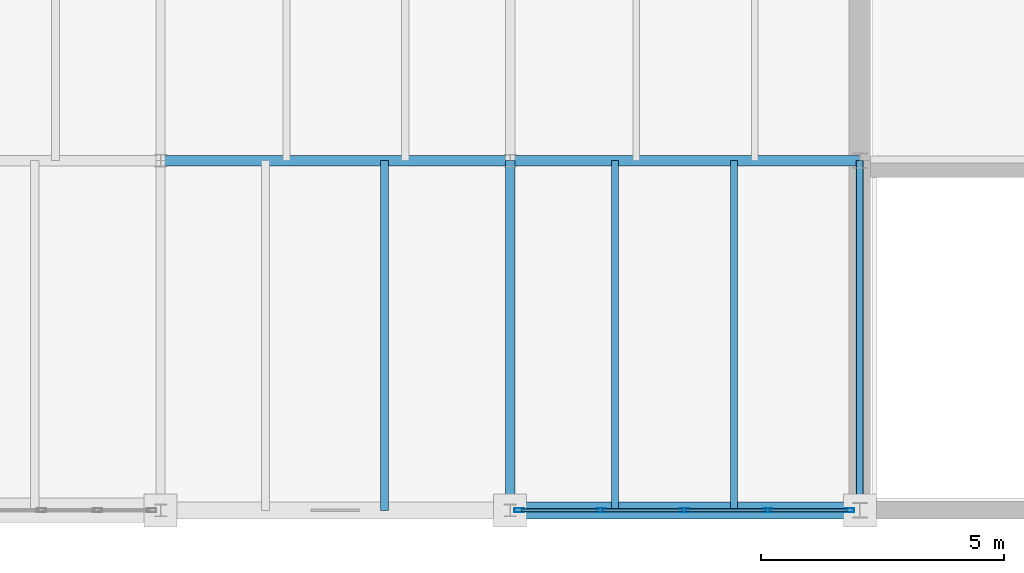
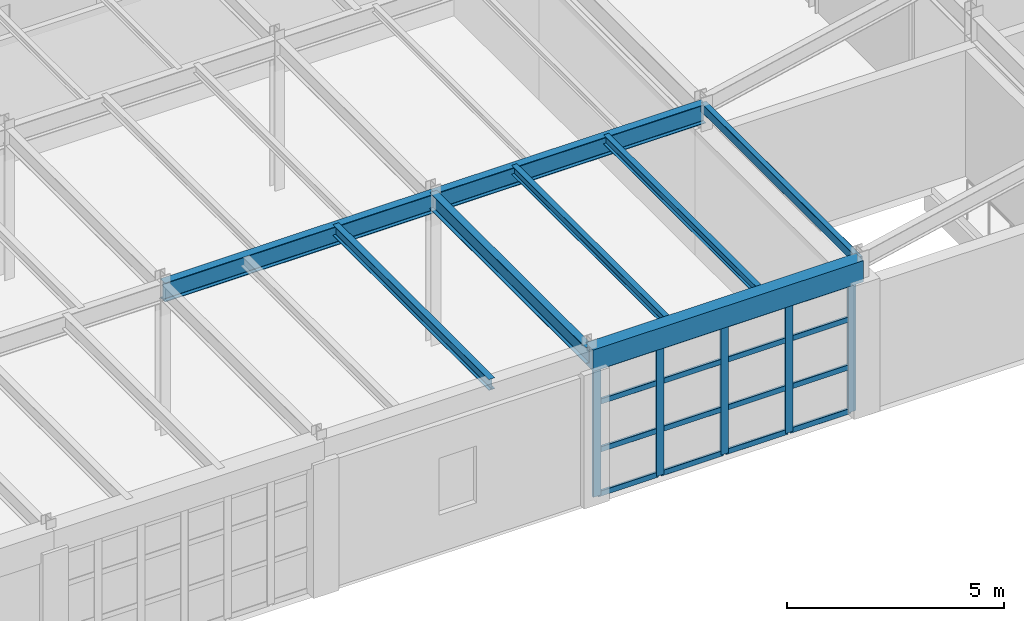
# One storey, part 70 of 137: 21 members, 8 beams, 1 element without a shape of its own.
"""IFC4 building model written with IfcOpenShell, lengths in metres."""

from ifc_helpers import new_model, si_unit, direction, frame, origin, origin_2d, place, context, subcontext, project, spatial, rectangle, hollow_rectangle, i_section, extrude, material, layer, layer_set, material_profile, profile_set, type_object, element, aggregate, save


model = new_model("IFC4")

# Units and contexts
model_context = context("Model", 3, precision=1e-05, world=origin(), true_north=direction((0.0, 1.0)))
body_context = subcontext(model_context, "Body", "Model", "MODEL_VIEW")
ifc_project = project(units=[si_unit("LENGTHUNIT", "METRE"), si_unit("AREAUNIT", "SQUARE_METRE"), si_unit("VOLUMEUNIT", "CUBIC_METRE"), si_unit("PLANEANGLEUNIT", "RADIAN"), si_unit("MASSUNIT", "GRAM", prefix="KILO")], contexts=[model_context])

# Site, building, storey
site_placement = place(None, origin())
site = spatial("IfcSite", under=ifc_project, at=site_placement, CompositionType="ELEMENT")
building_placement = place(site_placement, origin())
building = spatial("IfcBuilding", under=site, at=building_placement, Name="Kemerveld Promenade Tramway Depot", CompositionType="ELEMENT")
storey_placement = place(building_placement, frame((0.0, 0.0, 5.39990234375)))
storey = spatial("IfcBuildingStorey", under=building, at=storey_placement, Name="L01", CompositionType="ELEMENT", Elevation=5.39990234375)

# Beams
ifc_material_1 = material(Name="Steel S355", Category="steel")
ifc_material_profile_1 = material_profile(ifc_material_1, i_section(OverallWidth=0.2099609375, OverallDepth=0.53662109375, WebThickness=0.0107421875, FlangeThickness=0.017333984375, FilletRadius=0.0126953125, at=origin_2d()), Name="533x210x101 UB")
ifc_profile_set_1 = profile_set([ifc_material_profile_1], Name="Steel S355")
beam_type_1 = type_object("IfcBeamType", Name="BM-G05", PredefinedType="BEAM", material=ifc_profile_set_1)
for number, where, z_axis, x_axis, name in (
    (1, (144.0, 7.199951171875, 3.99169921875), (1.0, 0.0, 0.0), (0.0, 1.0, 0.0), "BMX-L01-21-22-B"),
    (2, (151.199951171875, 7.199951171875, 3.99169921875), (1.0, 0.0, 0.0), (0.0, 1.0, 0.0), "BMX-L01-22-23-B"),
):
    element("IfcBeam", number, at=place(storey_placement, frame(where, z_axis=z_axis, x_axis=x_axis)), inside=storey, type_object=beam_type_1, Name=name, PredefinedType="BEAM", context=body_context, shape_type="SweptSolid", body=[
        extrude(i_section(OverallWidth=0.2099609375, OverallDepth=0.53662109375, WebThickness=0.0107421875, FlangeThickness=0.017333984375, FilletRadius=0.0126953125, at=origin_2d()), origin(), (0.0, 0.0, 1.0), 7.199951171875),
    ])
ifc_material_profile_2 = material_profile(ifc_material_1, i_section(OverallWidth=0.19140625, OverallDepth=0.4599609375, WebThickness=0.010009765625, FlangeThickness=0.01611328125, FilletRadius=0.01025390625, at=origin_2d()), Name="457x191x82 UB")
ifc_profile_set_2 = profile_set([ifc_material_profile_2], Name="Steel S355")
beam_type_2 = type_object("IfcBeamType", Name="BM-G06", PredefinedType="BEAM", material=ifc_profile_set_2)
beam_1_placement = place(storey_placement, frame((151.199951171875, 0.0, 4.030029296875), z_axis=(0.0, 1.0, 0.0), x_axis=(-1.0, 0.0, 0.0)))
element("IfcBeam", 3, at=beam_1_placement, inside=storey, type_object=beam_type_2, Name="BMY-L01-22-A-B", PredefinedType="BEAM", context=body_context, shape_type="SweptSolid", body=[
    extrude(i_section(OverallWidth=0.19140625, OverallDepth=0.4599609375, WebThickness=0.010009765625, FlangeThickness=0.01611328125, FilletRadius=0.01025390625, at=origin_2d()), origin(), (0.0, 0.0, 1.0), 7.199951171875),
])
ifc_material_profile_3 = material_profile(ifc_material_1, i_section(OverallWidth=0.165771484375, OverallDepth=0.306640625, WebThickness=0.006591796875, FlangeThickness=0.01171875, FilletRadius=0.0087890625, at=origin_2d()), Name="305x165x46 UB")
ifc_profile_set_3 = profile_set([ifc_material_profile_3], Name="Steel S355")
beam_type_3 = type_object("IfcBeamType", Name="BM-J01", PredefinedType="JOIST", material=ifc_profile_set_3)
beam_2_placement = place(storey_placement, frame((148.60791015625, 0.0, 4.106689453125), z_axis=(0.0, 1.0, 0.0), x_axis=(-1.0, 0.0, 0.0)))
element("IfcBeam", 4, at=beam_2_placement, inside=storey, type_object=beam_type_3, Name="JST-L01-21-A-2", PredefinedType="JOIST", context=body_context, shape_type="SweptSolid", body=[
    extrude(i_section(OverallWidth=0.165771484375, OverallDepth=0.306640625, WebThickness=0.006591796875, FlangeThickness=0.01171875, FilletRadius=0.0087890625, at=origin_2d()), origin(), (0.0, 0.0, 1.0), 7.199951171875),
])
ifc_material_profile_4 = material_profile(ifc_material_1, i_section(OverallWidth=0.146484375, OverallDepth=0.256103515625, WebThickness=0.00634765625, FlangeThickness=0.010986328125, FilletRadius=0.007568359375, at=origin_2d()), Name="254x146x37 UB")
ifc_profile_set_4 = profile_set([ifc_material_profile_4], Name="Steel S355")
beam_type_4 = type_object("IfcBeamType", Name="BM-J02", PredefinedType="JOIST", material=ifc_profile_set_4)
for number, where, z_axis, x_axis, name in (
    (5, (153.360107421875, 0.0, 4.132080078125), (0.0, 1.0, 0.0), (-1.0, 0.0, 0.0), "JST-L01-22-A-1"),
    (6, (155.80810546875, 0.0, 4.132080078125), (0.0, 1.0, 0.0), (-1.0, 0.0, 0.0), "JST-L01-22-A-2"),
):
    element("IfcBeam", number, at=place(storey_placement, frame(where, z_axis=z_axis, x_axis=x_axis)), inside=storey, type_object=beam_type_4, Name=name, PredefinedType="JOIST", context=body_context, shape_type="SweptSolid", body=[
        extrude(i_section(OverallWidth=0.146484375, OverallDepth=0.256103515625, WebThickness=0.00634765625, FlangeThickness=0.010986328125, FilletRadius=0.007568359375, at=origin_2d()), origin(), (0.0, 0.0, 1.0), 7.199951171875),
    ])
ifc_material_2 = material(Name="Concrete C40/50", Category="concrete")
ifc_material_profile_5 = material_profile(ifc_material_2, rectangle(XDim=0.35009765625, YDim=0.60009765625, at=origin_2d()), Name="RC-BM-350x600")
ifc_profile_set_5 = profile_set([ifc_material_profile_5], Name="Concrete C40/50")
beam_type_5 = type_object("IfcBeamType", Name="BM-RC4", PredefinedType="BEAM", material=ifc_profile_set_5)
beam_3_placement = place(storey_placement, frame((151.199951171875, 0.0, 3.960205078125), z_axis=(1.0, 0.0, 0.0), x_axis=(0.0, 1.0, 0.0)))
element("IfcBeam", 7, at=beam_3_placement, inside=storey, type_object=beam_type_5, Name="BMX-L01-22-23-A", PredefinedType="BEAM", context=body_context, shape_type="SweptSolid", body=[
    extrude(rectangle(XDim=0.35009765625, YDim=0.60009765625, at=origin_2d()), origin(), (0.0, 0.0, 1.0), 7.199951171875),
])
ifc_material_profile_6 = material_profile(ifc_material_1, hollow_rectangle(XDim=0.14990234375, YDim=0.25, WallThickness=0.010009765625, InnerFilletRadius=0.0048828125, OuterFilletRadius=0.014892578125, at=origin_2d()), Name="250x150x10.0 RHS")
ifc_profile_set_6 = profile_set([ifc_material_profile_6], Name="Steel S355")
beam_type_6 = type_object("IfcBeamType", Name="BM-SP2", PredefinedType="SPANDREL", material=ifc_profile_set_6)
beam_4_placement = place(storey_placement, frame((158.39990234375, 0.0, 4.135009765625), z_axis=(0.0, 1.0, 0.0), x_axis=(-1.0, 0.0, 0.0)))
element("IfcBeam", 8, at=beam_4_placement, inside=storey, type_object=beam_type_6, Name="BMY-L01-23-A-B", PredefinedType="SPANDREL", context=body_context, shape_type="SweptSolid", body=[
    extrude(hollow_rectangle(XDim=0.14990234375, YDim=0.25, WallThickness=0.010009765625, InnerFilletRadius=0.0048828125, OuterFilletRadius=0.014892578125, at=origin_2d()), origin(), (0.0, 0.0, 1.0), 7.199951171875),
])

# Curtain wall, members
ifc_material_3 = material(Name="Bronze anodised aluminium and solar glass", Category="aluminium")
ifc_layer = layer(ifc_material_3, 0.199951171875)
ifc_layer_set = layer_set([ifc_layer], Name="CW-SYS-04")
curtain_wall_type = type_object("IfcCurtainWallType", Name="CW-SYS-04", PredefinedType="USERDEFINED", material=ifc_layer_set)
curtain_wall_placement = place(storey_placement, origin())
curtain_wall = element("IfcCurtainWall", 9, at=curtain_wall_placement, inside=storey, type_object=curtain_wall_type, Name="CW-L01-V4S-01", ObjectType="GLAZED_CURTAIN_WALL", PredefinedType="USERDEFINED")
ifc_material_4 = material(Name="Bronze anodised aluminium", Category="aluminium")
ifc_material_profile_7 = material_profile(ifc_material_4, hollow_rectangle(XDim=0.074951171875, YDim=0.199951171875, WallThickness=0.0048828125, InnerFilletRadius=0.001953125, OuterFilletRadius=0.0048828125, at=origin_2d()), Name="CW-MUL-200x75")
ifc_profile_set_7 = profile_set([ifc_material_profile_7], Name="Bronze anodised aluminium")
member_type_1 = type_object("IfcMemberType", Name="CW-MUL-B", PredefinedType="MULLION", material=ifc_profile_set_7)
member_1_placement = place(storey_placement, frame((158.185302734375, 0.0, 0.0), z_axis=(0.0, 0.0, 1.0), x_axis=(0.0, -1.0, 0.0)))
member_1 = element("IfcMember", 10, at=member_1_placement, type_object=member_type_1, Name="CW04 mullion 1", PredefinedType="MULLION", context=body_context, shape_type="SweptSolid", body=[
    extrude(hollow_rectangle(XDim=0.074951171875, YDim=0.199951171875, WallThickness=0.0048828125, InnerFilletRadius=0.001953125, OuterFilletRadius=0.0048828125, at=origin_2d()), origin(), (0.0, 0.0, 1.0), 3.64013671875),
])
member_2_placement = place(storey_placement, frame((156.504638671875, 0.0, 0.0), z_axis=(0.0, 0.0, 1.0), x_axis=(0.0, -1.0, 0.0)))
member_2 = element("IfcMember", 11, at=member_2_placement, type_object=member_type_1, Name="CW04 mullion 2", PredefinedType="MULLION", context=body_context, shape_type="SweptSolid", body=[
    extrude(hollow_rectangle(XDim=0.074951171875, YDim=0.199951171875, WallThickness=0.0048828125, InnerFilletRadius=0.001953125, OuterFilletRadius=0.0048828125, at=origin_2d()), origin(), (0.0, 0.0, 1.0), 3.64013671875),
])
member_3_placement = place(storey_placement, frame((154.786376953125, 0.0, 0.0), z_axis=(0.0, 0.0, 1.0), x_axis=(0.0, -1.0, 0.0)))
member_3 = element("IfcMember", 12, at=member_3_placement, type_object=member_type_1, Name="CW04 mullion 3", PredefinedType="MULLION", context=body_context, shape_type="SweptSolid", body=[
    extrude(hollow_rectangle(XDim=0.074951171875, YDim=0.199951171875, WallThickness=0.0048828125, InnerFilletRadius=0.001953125, OuterFilletRadius=0.0048828125, at=origin_2d()), origin(), (0.0, 0.0, 1.0), 3.64013671875),
])
member_4_placement = place(storey_placement, frame((153.068359375, 0.0, 0.0), z_axis=(0.0, 0.0, 1.0), x_axis=(0.0, -1.0, 0.0)))
member_4 = element("IfcMember", 13, at=member_4_placement, type_object=member_type_1, Name="CW04 mullion 4", PredefinedType="MULLION", context=body_context, shape_type="SweptSolid", body=[
    extrude(hollow_rectangle(XDim=0.074951171875, YDim=0.199951171875, WallThickness=0.0048828125, InnerFilletRadius=0.001953125, OuterFilletRadius=0.0048828125, at=origin_2d()), origin(), (0.0, 0.0, 1.0), 3.64013671875),
])
member_5_placement = place(storey_placement, frame((151.3876953125, 0.0, 0.0), z_axis=(0.0, 0.0, 1.0), x_axis=(0.0, -1.0, 0.0)))
member_5 = element("IfcMember", 14, at=member_5_placement, type_object=member_type_1, Name="CW04 mullion 5", PredefinedType="MULLION", context=body_context, shape_type="SweptSolid", body=[
    extrude(hollow_rectangle(XDim=0.074951171875, YDim=0.199951171875, WallThickness=0.0048828125, InnerFilletRadius=0.001953125, OuterFilletRadius=0.0048828125, at=origin_2d()), origin(), (0.0, 0.0, 1.0), 3.64013671875),
])
ifc_material_profile_8 = material_profile(ifc_material_4, hollow_rectangle(XDim=0.06494140625, YDim=0.14990234375, WallThickness=0.00439453125, InnerFilletRadius=0.001953125, OuterFilletRadius=0.00439453125, at=origin_2d()), Name="CW-TRN-150x65")
ifc_profile_set_8 = profile_set([ifc_material_profile_8], Name="Bronze anodised aluminium")
member_type_2 = type_object("IfcMemberType", Name="CW-TRN-B", PredefinedType="USERDEFINED", material=ifc_profile_set_8)
member_6_placement = place(storey_placement, frame((158.147705078125, 0.0, 0.03271484375), z_axis=(-1.0, 0.0, 0.0), x_axis=(0.0, -1.0, 0.0)))
member_6 = element("IfcMember", 15, at=member_6_placement, type_object=member_type_2, Name="CW04 transom 1.1", ObjectType="TRANSOM", PredefinedType="USERDEFINED", context=body_context, shape_type="SweptSolid", body=[
    extrude(hollow_rectangle(XDim=0.06494140625, YDim=0.14990234375, WallThickness=0.00439453125, InnerFilletRadius=0.001953125, OuterFilletRadius=0.00439453125, at=origin_2d()), origin(), (0.0, 0.0, 1.0), 1.60546875),
])
member_7_placement = place(storey_placement, frame((158.147705078125, 0.0, 1.274169921875), z_axis=(-1.0, 0.0, 0.0), x_axis=(0.0, -1.0, 0.0)))
member_7 = element("IfcMember", 16, at=member_7_placement, type_object=member_type_2, Name="CW04 transom 1.2", ObjectType="TRANSOM", PredefinedType="USERDEFINED", context=body_context, shape_type="SweptSolid", body=[
    extrude(hollow_rectangle(XDim=0.06494140625, YDim=0.14990234375, WallThickness=0.00439453125, InnerFilletRadius=0.001953125, OuterFilletRadius=0.00439453125, at=origin_2d()), origin(), (0.0, 0.0, 1.0), 1.60546875),
])
member_8_placement = place(storey_placement, frame((158.147705078125, 0.0, 2.62109375), z_axis=(-1.0, 0.0, 0.0), x_axis=(0.0, -1.0, 0.0)))
member_8 = element("IfcMember", 17, at=member_8_placement, type_object=member_type_2, Name="CW04 transom 1.3", ObjectType="TRANSOM", PredefinedType="USERDEFINED", context=body_context, shape_type="SweptSolid", body=[
    extrude(hollow_rectangle(XDim=0.06494140625, YDim=0.14990234375, WallThickness=0.00439453125, InnerFilletRadius=0.001953125, OuterFilletRadius=0.00439453125, at=origin_2d()), origin(), (0.0, 0.0, 1.0), 1.60546875),
])
member_9_placement = place(storey_placement, frame((158.147705078125, 0.0, 3.607666015625), z_axis=(-1.0, 0.0, 0.0), x_axis=(0.0, -1.0, 0.0)))
member_9 = element("IfcMember", 18, at=member_9_placement, type_object=member_type_2, Name="CW04 transom 1.4", ObjectType="TRANSOM", PredefinedType="USERDEFINED", context=body_context, shape_type="SweptSolid", body=[
    extrude(hollow_rectangle(XDim=0.06494140625, YDim=0.14990234375, WallThickness=0.00439453125, InnerFilletRadius=0.001953125, OuterFilletRadius=0.00439453125, at=origin_2d()), origin(), (0.0, 0.0, 1.0), 1.60546875),
])
member_10_placement = place(storey_placement, frame((156.467041015625, 0.0, 0.03271484375), z_axis=(-1.0, 0.0, 0.0), x_axis=(0.0, -1.0, 0.0)))
member_10 = element("IfcMember", 19, at=member_10_placement, type_object=member_type_2, Name="CW04 transom 2.1", ObjectType="TRANSOM", PredefinedType="USERDEFINED", context=body_context, shape_type="SweptSolid", body=[
    extrude(hollow_rectangle(XDim=0.06494140625, YDim=0.14990234375, WallThickness=0.00439453125, InnerFilletRadius=0.001953125, OuterFilletRadius=0.00439453125, at=origin_2d()), origin(), (0.0, 0.0, 1.0), 1.64306640625),
])
member_11_placement = place(storey_placement, frame((156.467041015625, 0.0, 1.274169921875), z_axis=(-1.0, 0.0, 0.0), x_axis=(0.0, -1.0, 0.0)))
member_11 = element("IfcMember", 20, at=member_11_placement, type_object=member_type_2, Name="CW04 transom 2.2", ObjectType="TRANSOM", PredefinedType="USERDEFINED", context=body_context, shape_type="SweptSolid", body=[
    extrude(hollow_rectangle(XDim=0.06494140625, YDim=0.14990234375, WallThickness=0.00439453125, InnerFilletRadius=0.001953125, OuterFilletRadius=0.00439453125, at=origin_2d()), origin(), (0.0, 0.0, 1.0), 1.64306640625),
])
member_12_placement = place(storey_placement, frame((156.467041015625, 0.0, 2.62109375), z_axis=(-1.0, 0.0, 0.0), x_axis=(0.0, -1.0, 0.0)))
member_12 = element("IfcMember", 21, at=member_12_placement, type_object=member_type_2, Name="CW04 transom 2.3", ObjectType="TRANSOM", PredefinedType="USERDEFINED", context=body_context, shape_type="SweptSolid", body=[
    extrude(hollow_rectangle(XDim=0.06494140625, YDim=0.14990234375, WallThickness=0.00439453125, InnerFilletRadius=0.001953125, OuterFilletRadius=0.00439453125, at=origin_2d()), origin(), (0.0, 0.0, 1.0), 1.64306640625),
])
member_13_placement = place(storey_placement, frame((156.467041015625, 0.0, 3.607666015625), z_axis=(-1.0, 0.0, 0.0), x_axis=(0.0, -1.0, 0.0)))
member_13 = element("IfcMember", 22, at=member_13_placement, type_object=member_type_2, Name="CW04 transom 2.4", ObjectType="TRANSOM", PredefinedType="USERDEFINED", context=body_context, shape_type="SweptSolid", body=[
    extrude(hollow_rectangle(XDim=0.06494140625, YDim=0.14990234375, WallThickness=0.00439453125, InnerFilletRadius=0.001953125, OuterFilletRadius=0.00439453125, at=origin_2d()), origin(), (0.0, 0.0, 1.0), 1.64306640625),
])
member_14_placement = place(storey_placement, frame((154.7490234375, 0.0, 0.03271484375), z_axis=(-1.0, 0.0, 0.0), x_axis=(0.0, -1.0, 0.0)))
member_14 = element("IfcMember", 23, at=member_14_placement, type_object=member_type_2, Name="CW04 transom 3.1", ObjectType="TRANSOM", PredefinedType="USERDEFINED", context=body_context, shape_type="SweptSolid", body=[
    extrude(hollow_rectangle(XDim=0.06494140625, YDim=0.14990234375, WallThickness=0.00439453125, InnerFilletRadius=0.001953125, OuterFilletRadius=0.00439453125, at=origin_2d()), origin(), (0.0, 0.0, 1.0), 1.643310546875),
])
member_15_placement = place(storey_placement, frame((154.7490234375, 0.0, 1.274169921875), z_axis=(-1.0, 0.0, 0.0), x_axis=(0.0, -1.0, 0.0)))
member_15 = element("IfcMember", 24, at=member_15_placement, type_object=member_type_2, Name="CW04 transom 3.2", ObjectType="TRANSOM", PredefinedType="USERDEFINED", context=body_context, shape_type="SweptSolid", body=[
    extrude(hollow_rectangle(XDim=0.06494140625, YDim=0.14990234375, WallThickness=0.00439453125, InnerFilletRadius=0.001953125, OuterFilletRadius=0.00439453125, at=origin_2d()), origin(), (0.0, 0.0, 1.0), 1.643310546875),
])
member_16_placement = place(storey_placement, frame((154.7490234375, 0.0, 2.62109375), z_axis=(-1.0, 0.0, 0.0), x_axis=(0.0, -1.0, 0.0)))
member_16 = element("IfcMember", 25, at=member_16_placement, type_object=member_type_2, Name="CW04 transom 3.3", ObjectType="TRANSOM", PredefinedType="USERDEFINED", context=body_context, shape_type="SweptSolid", body=[
    extrude(hollow_rectangle(XDim=0.06494140625, YDim=0.14990234375, WallThickness=0.00439453125, InnerFilletRadius=0.001953125, OuterFilletRadius=0.00439453125, at=origin_2d()), origin(), (0.0, 0.0, 1.0), 1.643310546875),
])
member_17_placement = place(storey_placement, frame((154.7490234375, 0.0, 3.607666015625), z_axis=(-1.0, 0.0, 0.0), x_axis=(0.0, -1.0, 0.0)))
member_17 = element("IfcMember", 26, at=member_17_placement, type_object=member_type_2, Name="CW04 transom 3.4", ObjectType="TRANSOM", PredefinedType="USERDEFINED", context=body_context, shape_type="SweptSolid", body=[
    extrude(hollow_rectangle(XDim=0.06494140625, YDim=0.14990234375, WallThickness=0.00439453125, InnerFilletRadius=0.001953125, OuterFilletRadius=0.00439453125, at=origin_2d()), origin(), (0.0, 0.0, 1.0), 1.643310546875),
])
member_18_placement = place(storey_placement, frame((153.03076171875, 0.0, 0.03271484375), z_axis=(-1.0, 0.0, 0.0), x_axis=(0.0, -1.0, 0.0)))
member_18 = element("IfcMember", 27, at=member_18_placement, type_object=member_type_2, Name="CW04 transom 4.1", ObjectType="TRANSOM", PredefinedType="USERDEFINED", context=body_context, shape_type="SweptSolid", body=[
    extrude(hollow_rectangle(XDim=0.06494140625, YDim=0.14990234375, WallThickness=0.00439453125, InnerFilletRadius=0.001953125, OuterFilletRadius=0.00439453125, at=origin_2d()), origin(), (0.0, 0.0, 1.0), 1.605712890625),
])
member_19_placement = place(storey_placement, frame((153.03076171875, 0.0, 1.274169921875), z_axis=(-1.0, 0.0, 0.0), x_axis=(0.0, -1.0, 0.0)))
member_19 = element("IfcMember", 28, at=member_19_placement, type_object=member_type_2, Name="CW04 transom 4.2", ObjectType="TRANSOM", PredefinedType="USERDEFINED", context=body_context, shape_type="SweptSolid", body=[
    extrude(hollow_rectangle(XDim=0.06494140625, YDim=0.14990234375, WallThickness=0.00439453125, InnerFilletRadius=0.001953125, OuterFilletRadius=0.00439453125, at=origin_2d()), origin(), (0.0, 0.0, 1.0), 1.605712890625),
])
member_20_placement = place(storey_placement, frame((153.03076171875, 0.0, 2.62109375), z_axis=(-1.0, 0.0, 0.0), x_axis=(0.0, -1.0, 0.0)))
member_20 = element("IfcMember", 29, at=member_20_placement, type_object=member_type_2, Name="CW04 transom 4.3", ObjectType="TRANSOM", PredefinedType="USERDEFINED", context=body_context, shape_type="SweptSolid", body=[
    extrude(hollow_rectangle(XDim=0.06494140625, YDim=0.14990234375, WallThickness=0.00439453125, InnerFilletRadius=0.001953125, OuterFilletRadius=0.00439453125, at=origin_2d()), origin(), (0.0, 0.0, 1.0), 1.605712890625),
])
member_21_placement = place(storey_placement, frame((153.03076171875, 0.0, 3.607666015625), z_axis=(-1.0, 0.0, 0.0), x_axis=(0.0, -1.0, 0.0)))
member_21 = element("IfcMember", 30, at=member_21_placement, type_object=member_type_2, Name="CW04 transom 4.4", ObjectType="TRANSOM", PredefinedType="USERDEFINED", context=body_context, shape_type="SweptSolid", body=[
    extrude(hollow_rectangle(XDim=0.06494140625, YDim=0.14990234375, WallThickness=0.00439453125, InnerFilletRadius=0.001953125, OuterFilletRadius=0.00439453125, at=origin_2d()), origin(), (0.0, 0.0, 1.0), 1.605712890625),
])
aggregate(curtain_wall, [member_1, member_2, member_3, member_4, member_5, member_6, member_7, member_8, member_9, member_10, member_11, member_12, member_13, member_14, member_15, member_16, member_17, member_18, member_19, member_20, member_21])

save(model, "model.ifc")
